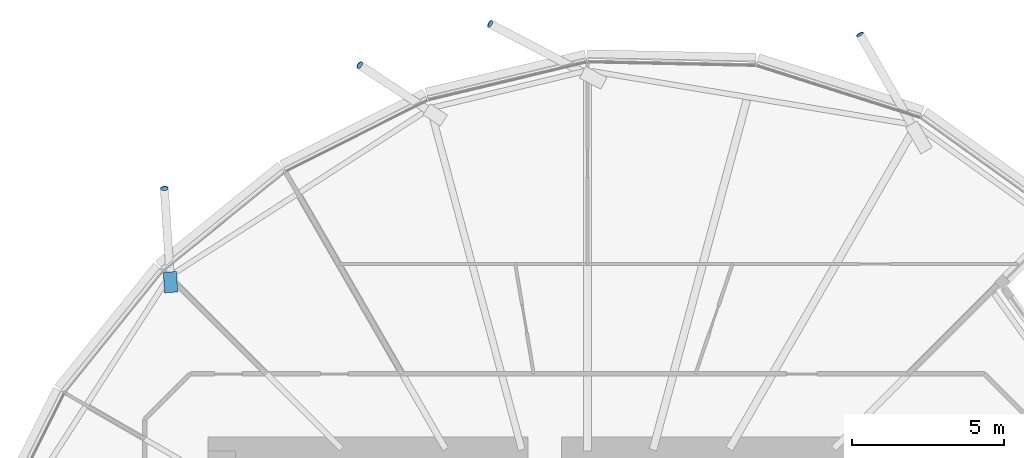
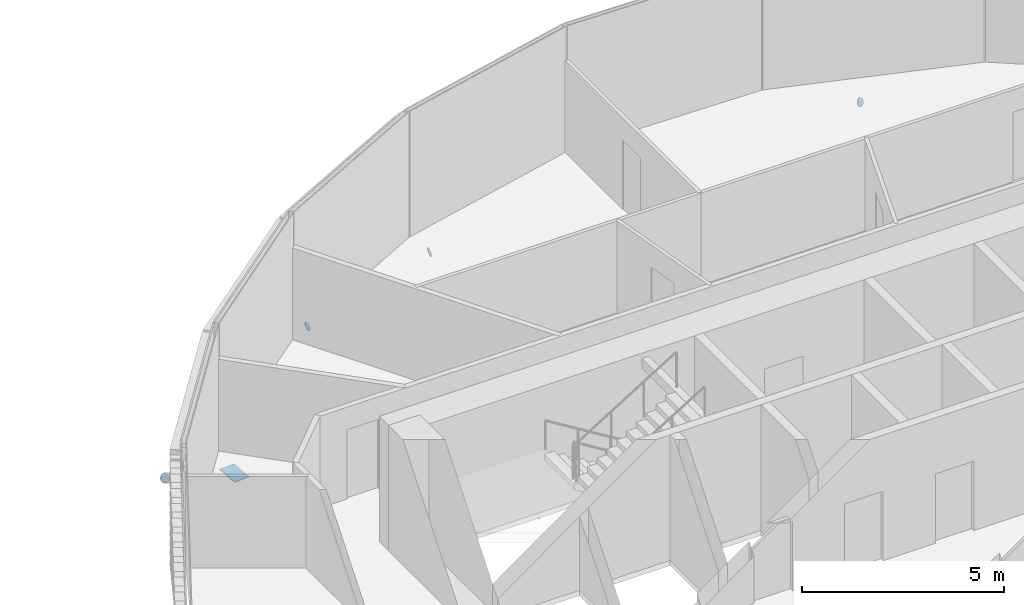
# One storey, part 30 of 36: 5 discrete accessories.
"""IFC4 building model written with IfcOpenShell, lengths in metres."""

from ifc_helpers import new_model, si_unit, direction, frame, origin, origin_2d, place, context, subcontext, project, spatial, polyline, rectangle, circle, outline, extrude, material, material_profile, profile_set, type_object, element, save


model = new_model("IFC4")

# Units and contexts
model_context = context("Model", 3, precision=1e-05, world=origin(), true_north=direction((0.0, 1.0)))
body_context = subcontext(model_context, "Body", "Model", "MODEL_VIEW")
ifc_project = project(units=[si_unit("LENGTHUNIT", "METRE"), si_unit("AREAUNIT", "SQUARE_METRE"), si_unit("VOLUMEUNIT", "CUBIC_METRE"), si_unit("PLANEANGLEUNIT", "RADIAN"), si_unit("MASSUNIT", "GRAM", prefix="KILO")], contexts=[model_context])

# Site, building, storey
site_placement = place(None, origin())
site = spatial("IfcSite", under=ifc_project, at=site_placement, CompositionType="ELEMENT")
building_placement = place(site_placement, origin())
building = spatial("IfcBuilding", under=site, at=building_placement, Name="Rimbun Link Towers", CompositionType="ELEMENT")
storey_placement = place(building_placement, frame((0.0, 0.0, 37.60009765625)))
storey = spatial("IfcBuildingStorey", under=building, at=storey_placement, Name="L08", CompositionType="ELEMENT", Elevation=37.60009765625)

# Discrete accessories
ifc_material_1 = material(Name="Steel S355J2H", Category="steel")
ifc_material_profile_1 = material_profile(ifc_material_1, circle(Radius=0.1240234375, at=origin_2d()), Name="PL D248")
ifc_profile_set_1 = profile_set([ifc_material_profile_1], Name="Steel S355J2H")
discrete_accessory_type_1 = type_object("IfcDiscreteAccessoryType", Name="Link foot sealing plate D248X20", PredefinedType="BRACKET", material=ifc_profile_set_1)
for number, where, z_axis, x_axis, name in (
    (1, (40.695556640625, 21.653076171875, -2.193115234375), (-0.476959409377, 0.819391805853, -0.317972939585), (-0.864246375176, -0.50306878555, 0.0), "Link foot sealing plate T2 L08 01"),
    (2, (28.56591796875, 21.99951171875, -2.6904296875), (-0.79138932576, 0.426132713871, -0.438307934267), (-0.474099823035, -0.880471099922, 0.0), "Link foot sealing plate T2 L08 03"),
    (3, (24.28662109375, 20.6484375, -2.6142578125), (-0.706791694599, 0.4752564843, -0.524000739099), (-0.55799758972, -0.829842569327, 0.0), "Link foot sealing plate T2 L08 04"),
):
    element("IfcDiscreteAccessory", number, at=place(storey_placement, frame(where, z_axis=z_axis, x_axis=x_axis)), inside=storey, type_object=discrete_accessory_type_1, Name=name, PredefinedType="BRACKET", context=body_context, shape_type="SweptSolid", body=[
        extrude(circle(Radius=0.1240234375, at=origin_2d()), origin(), (0.0, 0.0, 1.0), 0.02001953125),
    ])
discrete_accessory_1_placement = place(storey_placement, frame((17.873779296875, 16.59912109375, -2.51611328125), z_axis=(-0.061383202207, 0.847088190457, -0.52789553898), x_axis=(-0.997384795983, -0.072274260578, 0.0)))
element("IfcDiscreteAccessory", 4, at=discrete_accessory_1_placement, inside=storey, type_object=discrete_accessory_type_1, Name="Link foot sealing plate T2 L08 06", PredefinedType="BRACKET", context=body_context, shape_type="SweptSolid", body=[
    extrude(circle(Radius=0.1240234375, at=origin_2d()), origin(), (0.0, 0.0, 1.0), 0.019775390625),
])
ifc_material_2 = material(Name="Steel S355J2H", Category="steel")
ifc_material_profile_2 = material_profile(ifc_material_2, rectangle(XDim=0.43310546875, YDim=0.43310546875, at=origin_2d()), Name="PL 433x433")
ifc_profile_set_2 = profile_set([ifc_material_profile_2], Name="Steel S355J2H")
discrete_accessory_type_2 = type_object("IfcDiscreteAccessoryType", Name="Link head end plate 433X20", PredefinedType="BRACKET", material=ifc_profile_set_2)
discrete_accessory_2_placement = place(storey_placement, frame((0.0, 0.0, -0.58642578125)))
element("IfcDiscreteAccessory", 5, at=discrete_accessory_2_placement, inside=storey, type_object=discrete_accessory_type_2, Name="Link head end plate T2 L08 06", PredefinedType="BRACKET", context=body_context, shape_type="SweptSolid", body=[
    extrude(outline(polyline([(18.313720703125, 13.21044921875), (18.269287109375, 13.882568359375), (17.83740234375, 13.85400390625), (17.881591796875, 13.18212890625), (18.313720703125, 13.21044921875)])), origin(), (0.0, 0.0, 1.0), 0.02001953125),
])

save(model, "model.ifc")
